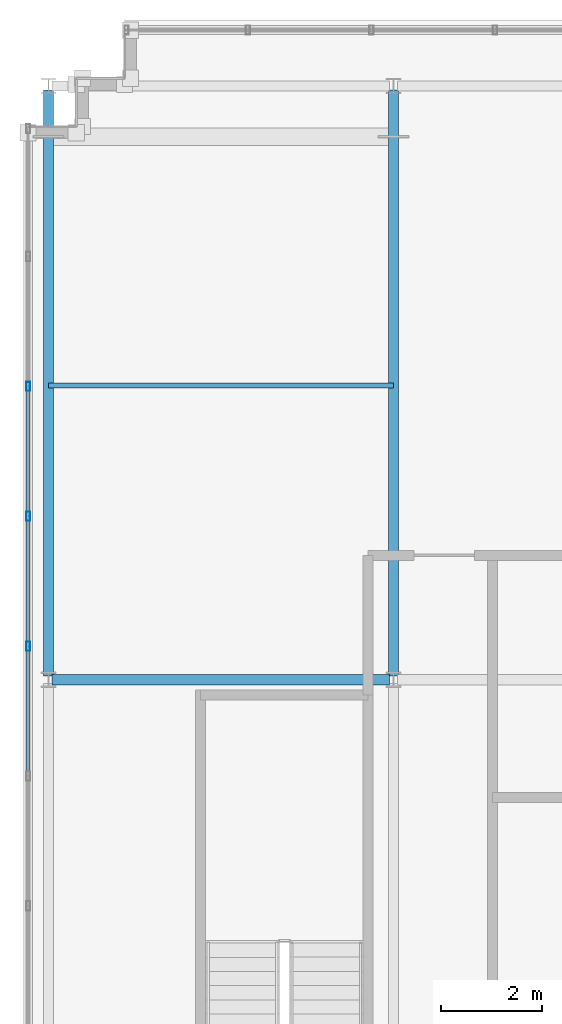
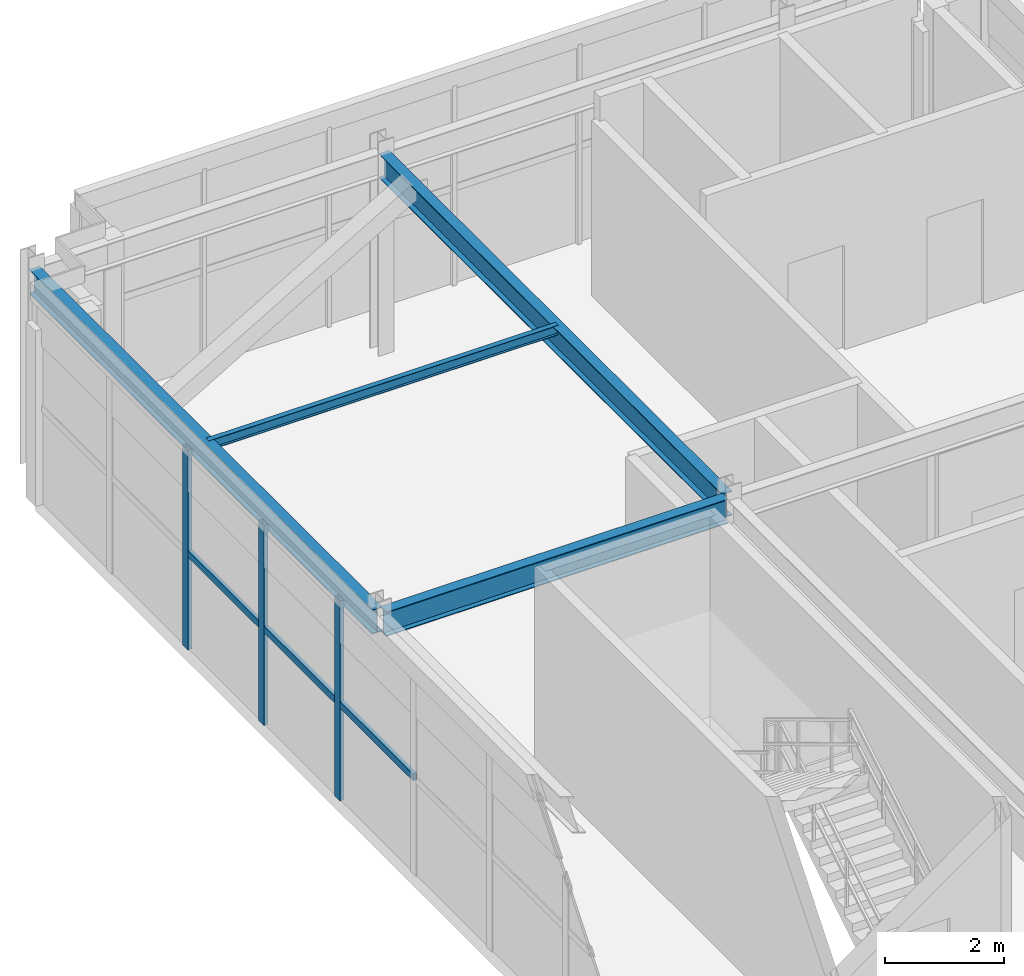
# One storey, part 8 of 28: 7 members, 3 beams, 1 element without a shape of its own.
"""IFC4 building model written with IfcOpenShell, lengths in metres."""

import ifcopenshell
import ifcopenshell.guid

model = None  # the IFC model being written
_history = None  # IfcOwnerHistory: only IFC2X3 demands one
_inside = {}  # id of a spatial element -> (the spatial element, [elements in it])
_under = {}  # id of a project, library or spatial element -> (it, [spatial elements below it])
_declared = {}  # id of a project -> (the project, [libraries it declares])
_typed = {}  # id of a type object -> (the type object, [elements of that type])
_made_of = {}  # id of a material, layer set ... -> (it, [elements and type objects made of it])


def new_model(schema):
    """Start an empty IFC model of exactly this schema.

    Asked for "IFC4X3", IfcOpenShell would pick the latest addendum, in which some entities
    have other attributes; the version numbers below select the first issue.
    IFC2X3 requires an IfcOwnerHistory on every rooted entity: one is made here for all.
    """
    global model, _history
    if schema == "IFC4X3":
        model = ifcopenshell.file(schema_version=(4, 3, 0, 0))
    else:
        model = ifcopenshell.file(schema=schema)
    _inside.clear()
    _under.clear()
    _declared.clear()
    _typed.clear()
    _made_of.clear()
    _history = None
    if model.schema == "IFC2X3":
        org = make("IfcOrganization", Name="unknown")
        user = make(
            "IfcPersonAndOrganization",
            ThePerson=make("IfcPerson", FamilyName="unknown"),
            TheOrganization=org,
        )
        app = make(
            "IfcApplication",
            ApplicationDeveloper=org,
            Version="unknown",
            ApplicationFullName="unknown",
            ApplicationIdentifier="unknown",
        )
        _history = make(
            "IfcOwnerHistory",
            OwningUser=user,
            OwningApplication=app,
            ChangeAction="ADDED",
            CreationDate=0,
        )
    return model


def make(cls, **values):
    """One entity of the class cls with the attributes given. An attribute that is None is left unset."""
    return model.create_entity(
        cls, **{name: value for name, value in values.items() if value is not None}
    )


def rooted(cls, **values):
    """An entity with a GlobalId (a new one), such as an element, a storey or a relation."""
    return make(cls, GlobalId=ifcopenshell.guid.new(), OwnerHistory=_history, **values)


def si_unit(unit_type, name, prefix=None):
    """IfcSIUnit, for example si_unit("LENGTHUNIT", "METRE", prefix="MILLI")."""
    return make("IfcSIUnit", UnitType=unit_type, Prefix=prefix, Name=name)


def assignment(units):
    """IfcUnitAssignment: the units of a project."""
    return None if units is None else make("IfcUnitAssignment", Units=units)


def point(xyz):
    """IfcCartesianPoint."""
    return None if xyz is None else make("IfcCartesianPoint", Coordinates=xyz)


def direction(xyz):
    """IfcDirection."""
    return None if xyz is None else make("IfcDirection", DirectionRatios=xyz)


def frame(location, z_axis=None, x_axis=None):
    """IfcAxis2Placement3D, a coordinate frame: its origin and axes. An axis left out is left unset."""
    return make(
        "IfcAxis2Placement3D",
        Location=point(location),
        Axis=direction(z_axis),
        RefDirection=direction(x_axis),
    )


def frame_2d(location, x_axis=None):
    """IfcAxis2Placement2D, a coordinate frame in the plane: its origin and x axis."""
    return make(
        "IfcAxis2Placement2D", Location=point(location), RefDirection=direction(x_axis)
    )


def origin():
    """The frame at (0, 0, 0) with its axes left unset."""
    return frame((0.0, 0.0, 0.0))


def origin_2d():
    """The frame at (0, 0) in the plane with its x axis left unset."""
    return frame_2d((0.0, 0.0))


def place(relative_to, where):
    """IfcLocalPlacement: puts the frame where relative to a parent placement (None: the world)."""
    return make(
        "IfcLocalPlacement", PlacementRelTo=relative_to, RelativePlacement=where
    )


def context(
    kind, dimensions, precision=None, world=None, true_north=None, identifier=None
):
    """IfcGeometricRepresentationContext, for example the 3D "Model" context."""
    return make(
        "IfcGeometricRepresentationContext",
        ContextIdentifier=identifier,
        ContextType=kind,
        CoordinateSpaceDimension=dimensions,
        Precision=precision,
        WorldCoordinateSystem=world,
        TrueNorth=true_north,
    )


def subcontext(parent, identifier, kind, view, scale=None):
    """IfcGeometricRepresentationSubContext, for example "Body" below "Model"."""
    return make(
        "IfcGeometricRepresentationSubContext",
        ContextIdentifier=identifier,
        ContextType=kind,
        ParentContext=parent,
        TargetScale=scale,
        TargetView=view,
    )


def project(units=None, contexts=None):
    """IfcProject with its units and contexts."""
    return rooted(
        "IfcProject",
        Name="project",
        RepresentationContexts=contexts,
        UnitsInContext=assignment(units),
    )


def spatial(cls, under=None, at=None, **own):
    """A site, building, storey or space (cls), placed at a placement, below another one or the project."""
    s = rooted(cls, ObjectPlacement=at, **own)
    if under is not None:
        _under.setdefault(under.id(), (under, []))[1].append(s)
    return s


def profile(cls, at=None, kind="AREA", **sizes):
    """A parametric profile (cls). Its sizes go by their IFC names, for example OverallWidth=200.0."""
    return make(cls, ProfileType=kind, Position=at, **sizes)


def hollow_rectangle(**sizes):
    """IfcRectangleHollowProfileDef."""
    return profile("IfcRectangleHollowProfileDef", **sizes)


def i_section(**sizes):
    """IfcIShapeProfileDef."""
    return profile("IfcIShapeProfileDef", **sizes)


def extrude(swept, where, along, depth):
    """IfcExtrudedAreaSolid: the profile swept, set in the frame where, extruded along a direction by depth."""
    return make(
        "IfcExtrudedAreaSolid",
        SweptArea=swept,
        Position=where,
        ExtrudedDirection=direction(along),
        Depth=depth,
    )


def shape(context_of_items, identifier, shape_type, items):
    """IfcShapeRepresentation: the items that make up one representation, for example the "Body"."""
    return make(
        "IfcShapeRepresentation",
        ContextOfItems=context_of_items,
        RepresentationIdentifier=identifier,
        RepresentationType=shape_type,
        Items=items,
    )


def source(mapping_origin, context_of_items, identifier, shape_type, items):
    """IfcRepresentationMap: a shape defined once, which mapped items show again and again."""
    return make(
        "IfcRepresentationMap",
        MappingOrigin=mapping_origin,
        MappedRepresentation=shape(context_of_items, identifier, shape_type, items),
    )


def transform(
    local_origin,
    x_axis=None,
    y_axis=None,
    z_axis=None,
    scale=None,
    scale2=None,
    scale3=None,
    uniform=True,
):
    """IfcCartesianTransformationOperator3D, or its non-uniform kind. x_axis, y_axis, z_axis: its Axis1, 2, 3."""
    if uniform:
        return make(
            "IfcCartesianTransformationOperator3D",
            Axis1=direction(x_axis),
            Axis2=direction(y_axis),
            LocalOrigin=point(local_origin),
            Scale=scale,
            Axis3=direction(z_axis),
        )
    return make(
        "IfcCartesianTransformationOperator3DnonUniform",
        Axis1=direction(x_axis),
        Axis2=direction(y_axis),
        LocalOrigin=point(local_origin),
        Scale=scale,
        Axis3=direction(z_axis),
        Scale2=scale2,
        Scale3=scale3,
    )


def mapped(mapping_source, mapping_target):
    """IfcMappedItem: shows the shape of a source again, moved by a transform."""
    return make(
        "IfcMappedItem", MappingSource=mapping_source, MappingTarget=mapping_target
    )


def material(Name=None, Category=None):
    """IfcMaterial."""
    return make("IfcMaterial", Name=Name, Category=Category)


def material_profile(
    of_material, cross_section, Name=None, Category=None, Priority=None
):
    """IfcMaterialProfile: a cross section and its material."""
    return make(
        "IfcMaterialProfile",
        Name=Name,
        Material=of_material,
        Profile=cross_section,
        Priority=Priority,
        Category=Category,
    )


def profile_set(profiles, Name=None, composite=None):
    """IfcMaterialProfileSet."""
    return make(
        "IfcMaterialProfileSet",
        Name=Name,
        MaterialProfiles=profiles,
        CompositeProfile=composite,
    )


def made_of(thing, what):
    """Note that an element or type object is made of a material, layer set ...; save() writes the relation."""
    if what is not None:
        _made_of.setdefault(what.id(), (what, []))[1].append(thing)
    return thing


def type_object(cls, material=None, **own):
    """A type object (cls), such as IfcWallType, which elements share."""
    return made_of(rooted(cls, **own), material)


def element(
    cls,
    number,
    at=None,
    inside=None,
    cuts=None,
    type_object=None,
    material=None,
    context=None,
    identifier="Body",
    shape_type=None,
    held_by="IfcProductDefinitionShape",
    body=None,
    shapes=None,
    **own,
):
    """One element of the class cls, such as IfcWall. Its Tag is "e" and its number.

    at: its placement. inside: the storey or other place that contains it. cuts: it is an
    opening in that element (IfcRelVoidsElement). A single representation is given by context,
    identifier, shape_type and body (its items); several are given by shapes. held_by: the class
    of the entity that holds the representations. save() writes the other relations.
    """
    e = rooted(cls, Tag="e%d" % number, ObjectPlacement=at, **own)
    if body is not None:
        shapes = [shape(context, identifier, shape_type, body)]
    if shapes is not None:
        e.Representation = make(held_by, Representations=shapes)
    if inside is not None:
        _inside.setdefault(inside.id(), (inside, []))[1].append(e)
    if cuts is not None:
        rooted(
            "IfcRelVoidsElement", RelatingBuildingElement=cuts, RelatedOpeningElement=e
        )
    if type_object is not None:
        _typed.setdefault(type_object.id(), (type_object, []))[1].append(e)
    return made_of(e, material)


def aggregate(whole, parts):
    """IfcRelAggregates: a whole, such as a stair, and the parts it consists of."""
    return rooted("IfcRelAggregates", RelatingObject=whole, RelatedObjects=parts)


def save(model, path):
    """Write the relations noted so far, then the file.

    IfcRelAggregates (storeys below a building ...), IfcRelContainedInSpatialStructure (elements
    in a storey), IfcRelDefinesByType, IfcRelAssociatesMaterial and IfcRelDeclares: one each for
    every whole, place, type object, material and project.
    """
    for whole, parts in _under.values():
        aggregate(whole, parts)
    for where, things in _inside.values():
        rooted(
            "IfcRelContainedInSpatialStructure",
            RelatedElements=things,
            RelatingStructure=where,
        )
    for kind, things in _typed.values():
        rooted("IfcRelDefinesByType", RelatedObjects=things, RelatingType=kind)
    for what, things in _made_of.values():
        rooted("IfcRelAssociatesMaterial", RelatedObjects=things, RelatingMaterial=what)
    for by, libraries in _declared.values():
        rooted("IfcRelDeclares", RelatingContext=by, RelatedDefinitions=libraries)
    model.write(path)


model = new_model("IFC4")

# Units and contexts
model_context = context("Model", 3, precision=1e-05, world=origin(), true_north=direction((0.0, 1.0)))
body_context = subcontext(model_context, "Body", "Model", "MODEL_VIEW")
ifc_project = project(units=[si_unit("LENGTHUNIT", "METRE"), si_unit("AREAUNIT", "SQUARE_METRE"), si_unit("VOLUMEUNIT", "CUBIC_METRE"), si_unit("PLANEANGLEUNIT", "RADIAN"), si_unit("MASSUNIT", "GRAM", prefix="KILO")], contexts=[model_context])

# Site, building, storey
site_placement = place(None, origin())
site = spatial("IfcSite", under=ifc_project, at=site_placement, CompositionType="ELEMENT")
building_placement = place(site_placement, origin())
building = spatial("IfcBuilding", under=site, at=building_placement, Name="Trelvane Seafront Commons", CompositionType="ELEMENT")
storey_placement = place(building_placement, frame((0.0, 0.0, 312.300048828125)))
storey = spatial("IfcBuildingStorey", under=building, at=storey_placement, Name="L81", CompositionType="ELEMENT", Elevation=312.300048828125)

# Beams
ifc_material_1 = material(Name="Steel SM355 (S355)", Category="steel")
ifc_material_profile_1 = material_profile(ifc_material_1, i_section(OverallWidth=0.199951171875, OverallDepth=0.5, WebThickness=0.010009765625, FlangeThickness=0.01611328125, at=origin_2d()), Name="H-500x200x10x16")
ifc_profile_set_1 = profile_set([ifc_material_profile_1], Name="Steel SM355 (S355)")
beam_type_1 = type_object("IfcBeamType", Name="STR-CROWN-FRAME-RING", PredefinedType="SPANDREL", material=ifc_profile_set_1)
shared_shape_1 = source(origin(), body_context, "Body", "SweptSolid", [
    extrude(i_section(OverallWidth=0.199951171875, OverallDepth=0.5, WebThickness=0.010009765625, FlangeThickness=0.01611328125, at=origin_2d()), origin(), (0.0, 0.0, 1.0), 6.64990234375),
])
beam_placement = place(storey_placement, frame((8.875, 33.39990234375, 3.85986328125), z_axis=(1.0, 0.0, 0.0), x_axis=(0.0, 1.0, 0.0)))
element("IfcBeam", 1, at=beam_placement, inside=storey, type_object=beam_type_1, Name="L81 CROWN FRAME Ring Beam G-05", PredefinedType="SPANDREL", context=body_context, shape_type="MappedRepresentation", body=[
    mapped(shared_shape_1, transform((0.0, 0.0, 0.0), x_axis=(1.0, 0.0, 0.0), y_axis=(0.0, 1.0, 0.0), z_axis=(0.0, 0.0, 1.0), scale=1.0)),
])
ifc_material_profile_2 = material_profile(ifc_material_1, i_section(OverallWidth=0.199951171875, OverallDepth=0.5, WebThickness=0.010009765625, FlangeThickness=0.01611328125, at=origin_2d()), Name="H-500x200x10x16")
ifc_profile_set_2 = profile_set([ifc_material_profile_2], Name="Steel SM355 (S355)")
beam_type_2 = type_object("IfcBeamType", Name="STR-BM-H500", PredefinedType="BEAM", material=ifc_profile_set_2)
shared_shape_2 = source(origin(), body_context, "Body", "SweptSolid", [
    extrude(i_section(OverallWidth=0.199951171875, OverallDepth=0.5, WebThickness=0.010009765625, FlangeThickness=0.01611328125, at=origin_2d()), origin(), (0.0, 0.0, 1.0), 11.5498046875),
])
for number, where, z_axis, x_axis, name in (
    (2, (8.800048828125, 33.47509765625, 3.85986328125), (0.0, 1.0, 0.0), (-1.0, 0.0, 0.0), "L81 Primary Girder G-14"),
    (3, (15.60009765625, 33.47509765625, 3.85986328125), (0.0, 1.0, 0.0), (-1.0, 0.0, 0.0), "L81 Primary Girder G-16"),
):
    element("IfcBeam", number, at=place(storey_placement, frame(where, z_axis=z_axis, x_axis=x_axis)), inside=storey, type_object=beam_type_2, Name=name, PredefinedType="BEAM", context=body_context, shape_type="MappedRepresentation", body=[
        mapped(shared_shape_2, transform((0.0, 0.0, 0.0), x_axis=(1.0, 0.0, 0.0), y_axis=(0.0, 1.0, 0.0), z_axis=(0.0, 0.0, 1.0), scale=1.0)),
    ])

# Member
ifc_material_profile_3 = material_profile(ifc_material_1, i_section(OverallWidth=0.10009765625, OverallDepth=0.199951171875, WebThickness=0.005615234375, FlangeThickness=0.008056640625, at=origin_2d()), Name="H-200x100x5.5x8")
ifc_profile_set_3 = profile_set([ifc_material_profile_3], Name="Steel SM355 (S355)")
member_type_1 = type_object("IfcMemberType", Name="STR-PUR-H200", PredefinedType="PURLIN", material=ifc_profile_set_3)
shared_shape_3 = source(origin(), body_context, "Body", "SweptSolid", [
    extrude(i_section(OverallWidth=0.10009765625, OverallDepth=0.199951171875, WebThickness=0.005615234375, FlangeThickness=0.008056640625, at=origin_2d()), origin(), (0.0, 0.0, 1.0), 6.800048828125),
])
member_1_placement = place(storey_placement, frame((8.800048828125, 39.199951171875, 4.010009765625), z_axis=(1.0, 0.0, 0.0), x_axis=(0.0, 1.0, 0.0)))
element("IfcMember", 4, at=member_1_placement, inside=storey, type_object=member_type_1, Name="L81 Crown Roof Purlin PR-2", PredefinedType="PURLIN", context=body_context, shape_type="MappedRepresentation", body=[
    mapped(shared_shape_3, transform((0.0, 0.0, 0.0), x_axis=(1.0, 0.0, 0.0), y_axis=(0.0, 1.0, 0.0), z_axis=(0.0, 0.0, 1.0), scale=1.0)),
])

# Curtain wall, members
ifc_material_2 = material(Name="Anodised pale-silver aluminium", Category="aluminium")
curtain_wall_type = type_object("IfcCurtainWallType", Name="ARCH-CW6-CROWN", PredefinedType="NOTDEFINED", material=ifc_material_2)
curtain_wall_placement = place(storey_placement, origin())
curtain_wall = element("IfcCurtainWall", 5, at=curtain_wall_placement, inside=storey, type_object=curtain_wall_type, Name="CW-L81-0144", PredefinedType="NOTDEFINED")
ifc_material_profile_4 = material_profile(ifc_material_2, hollow_rectangle(XDim=0.080078125, YDim=0.179931640625, WallThickness=0.00439453125, at=origin_2d()), Name="MULL-80x180x4.5")
ifc_profile_set_4 = profile_set([ifc_material_profile_4], Name="Anodised pale-silver aluminium")
member_type_2 = type_object("IfcMemberType", Name="ARCH-CW-MULL-180", PredefinedType="MULLION", material=ifc_profile_set_4)
shared_shape_4 = source(origin(), body_context, "Body", "SweptSolid", [
    extrude(hollow_rectangle(XDim=0.080078125, YDim=0.179931640625, WallThickness=0.00439453125, at=origin_2d()), origin(), (0.0, 0.0, 1.0), 4.10986328125),
])
member_2_placement = place(storey_placement, frame((8.39990234375, 34.06005859375, 0.0), z_axis=(0.0, 0.0, 1.0), x_axis=(1.0, 0.0, 0.0)))
member_2 = element("IfcMember", 6, at=member_2_placement, type_object=member_type_2, Name="CW-L81-0144-M06", PredefinedType="MULLION", context=body_context, shape_type="MappedRepresentation", body=[
    mapped(shared_shape_4, transform((0.0, 0.0, 0.0), x_axis=(1.0, 0.0, 0.0), y_axis=(0.0, 1.0, 0.0), z_axis=(0.0, 0.0, 1.0), scale=1.0)),
])
member_3_placement = place(storey_placement, frame((8.39990234375, 36.6201171875, 0.0), z_axis=(0.0, 0.0, 1.0), x_axis=(1.0, 0.0, 0.0)))
member_3 = element("IfcMember", 7, at=member_3_placement, type_object=member_type_2, Name="CW-L81-0144-M07", PredefinedType="MULLION", context=body_context, shape_type="MappedRepresentation", body=[
    mapped(shared_shape_4, transform((0.0, 0.0, 0.0), x_axis=(1.0, 0.0, 0.0), y_axis=(0.0, 1.0, 0.0), z_axis=(0.0, 0.0, 1.0), scale=1.0)),
])
member_4_placement = place(storey_placement, frame((8.39990234375, 39.179931640625, 0.0), z_axis=(0.0, 0.0, 1.0), x_axis=(1.0, 0.0, 0.0)))
member_4 = element("IfcMember", 8, at=member_4_placement, type_object=member_type_2, Name="CW-L81-0144-M08", PredefinedType="MULLION", context=body_context, shape_type="MappedRepresentation", body=[
    mapped(shared_shape_4, transform((0.0, 0.0, 0.0), x_axis=(1.0, 0.0, 0.0), y_axis=(0.0, 1.0, 0.0), z_axis=(0.0, 0.0, 1.0), scale=1.0)),
])
ifc_material_profile_5 = material_profile(ifc_material_2, hollow_rectangle(XDim=0.074951171875, YDim=0.139892578125, WallThickness=0.00390625, at=origin_2d()), Name="TRAN-75x140x4")
ifc_profile_set_5 = profile_set([ifc_material_profile_5], Name="Anodised pale-silver aluminium")
member_type_3 = type_object("IfcMemberType", Name="ARCH-CW-TRAN-140", PredefinedType="USERDEFINED", material=ifc_profile_set_5)
shared_shape_5 = source(origin(), body_context, "Body", "SweptSolid", [
    extrude(hollow_rectangle(XDim=0.074951171875, YDim=0.139892578125, WallThickness=0.00390625, at=origin_2d()), origin(), (0.0, 0.0, 1.0), 2.5361328125),
])
member_5_placement = place(storey_placement, frame((8.39990234375, 31.511962890625, 1.972900390625), z_axis=(0.0, 1.0, 0.0), x_axis=(-1.0, 0.0, 0.0)))
member_5 = element("IfcMember", 9, at=member_5_placement, type_object=member_type_3, Name="CW-L81-0144-T05", ObjectType="TRANSOM", PredefinedType="USERDEFINED", context=body_context, shape_type="MappedRepresentation", body=[
    mapped(shared_shape_5, transform((0.0, 0.0, 0.0), x_axis=(1.0, 0.0, 0.0), y_axis=(0.0, 1.0, 0.0), z_axis=(0.0, 0.0, 1.0), scale=1.0)),
])
shared_shape_6 = source(origin(), body_context, "Body", "SweptSolid", [
    extrude(hollow_rectangle(XDim=0.074951171875, YDim=0.139892578125, WallThickness=0.00390625, at=origin_2d()), origin(), (0.0, 0.0, 1.0), 2.535888671875),
])
member_6_placement = place(storey_placement, frame((8.39990234375, 34.072021484375, 1.972900390625), z_axis=(0.0, 1.0, 0.0), x_axis=(-1.0, 0.0, 0.0)))
member_6 = element("IfcMember", 10, at=member_6_placement, type_object=member_type_3, Name="CW-L81-0144-T06", ObjectType="TRANSOM", PredefinedType="USERDEFINED", context=body_context, shape_type="MappedRepresentation", body=[
    mapped(shared_shape_6, transform((0.0, 0.0, 0.0), x_axis=(1.0, 0.0, 0.0), y_axis=(0.0, 1.0, 0.0), z_axis=(0.0, 0.0, 1.0), scale=1.0)),
])
member_7_placement = place(storey_placement, frame((8.39990234375, 36.632080078125, 1.972900390625), z_axis=(0.0, 1.0, 0.0), x_axis=(-1.0, 0.0, 0.0)))
member_7 = element("IfcMember", 11, at=member_7_placement, type_object=member_type_3, Name="CW-L81-0144-T07", ObjectType="TRANSOM", PredefinedType="USERDEFINED", context=body_context, shape_type="MappedRepresentation", body=[
    mapped(shared_shape_6, transform((0.0, 0.0, 0.0), x_axis=(1.0, 0.0, 0.0), y_axis=(0.0, 1.0, 0.0), z_axis=(0.0, 0.0, 1.0), scale=1.0)),
])
aggregate(curtain_wall, [member_2, member_3, member_4, member_5, member_6, member_7])

save(model, "model.ifc")
